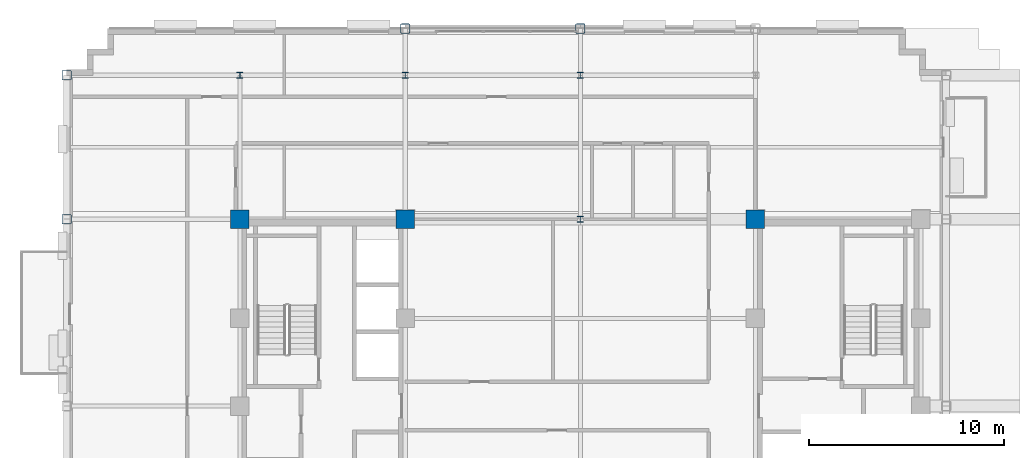
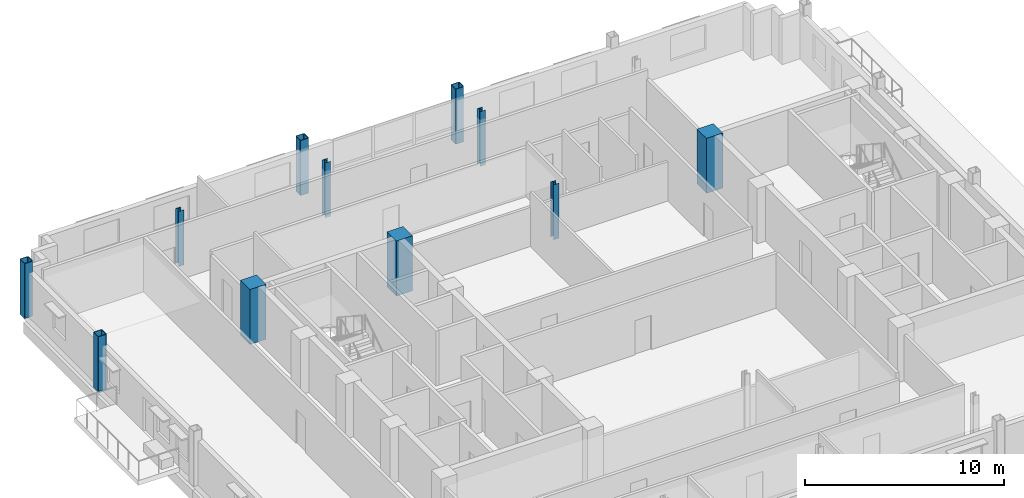
# One storey, part 3 of 16: 11 columns.
"""IFC4 building model written with IfcOpenShell, lengths in metres."""

from ifc_helpers import new_model, si_unit, direction, frame, origin, origin_2d, place, context, subcontext, project, spatial, rectangle, hollow_rectangle, i_section, extrude, material, material_profile, profile_set, type_object, element, save


model = new_model("IFC4")

# Units and contexts
model_context = context("Model", 3, precision=1e-05, world=origin(), true_north=direction((0.0, 1.0)))
body_context = subcontext(model_context, "Body", "Model", "MODEL_VIEW")
ifc_project = project(units=[si_unit("LENGTHUNIT", "METRE"), si_unit("AREAUNIT", "SQUARE_METRE"), si_unit("VOLUMEUNIT", "CUBIC_METRE"), si_unit("PLANEANGLEUNIT", "RADIAN"), si_unit("MASSUNIT", "GRAM", prefix="KILO")], contexts=[model_context])

# Site, building, storey
site_placement = place(None, origin())
site = spatial("IfcSite", under=ifc_project, at=site_placement, CompositionType="ELEMENT")
building_placement = place(site_placement, origin())
building = spatial("IfcBuilding", under=site, at=building_placement, Name="Nuvemarco Arch Tower", CompositionType="ELEMENT")
storey_placement = place(building_placement, frame((0.0, 0.0, 209.14990234375)))
storey = spatial("IfcBuildingStorey", under=building, at=storey_placement, Name="L55", CompositionType="ELEMENT", Elevation=209.14990234375)

# Columns
ifc_material_1 = material(Name="Concrete C50/60", Category="concrete")
ifc_material_profile_1 = material_profile(ifc_material_1, rectangle(XDim=0.949951171875, YDim=0.949951171875, at=origin_2d()), Name="RC-COL-950x950")
ifc_profile_set_1 = profile_set([ifc_material_profile_1], Name="Concrete C50/60")
column_type_1 = type_object("IfcColumnType", Name="COL-CORE-950", PredefinedType="COLUMN", material=ifc_profile_set_1)
for number, where, z_axis, x_axis, name in (
    (1, (-17.5, 9.60009765625, 0.0), (0.0, 0.0, 1.0), (1.0, 0.0, 0.0), "L55 column CC_-17.5_+9.6"),
    (2, (-9.0, 9.60009765625, 0.0), (0.0, 0.0, 1.0), (1.0, 0.0, 0.0), "L55 column CC_-9.0_+9.6"),
    (3, (9.0, 9.60009765625, 0.0), (0.0, 0.0, 1.0), (1.0, 0.0, 0.0), "L55 column CC_+9.0_+9.6"),
):
    element("IfcColumn", number, at=place(storey_placement, frame(where, z_axis=z_axis, x_axis=x_axis)), inside=storey, type_object=column_type_1, Name=name, PredefinedType="COLUMN", context=body_context, shape_type="SweptSolid", body=[
        extrude(rectangle(XDim=0.949951171875, YDim=0.949951171875, at=origin_2d()), origin(), (0.0, 0.0, 1.0), 3.3701171875),
    ])
ifc_material_2 = material(Name="Steel S355", Category="steel")
ifc_material_profile_2 = material_profile(ifc_material_2, hollow_rectangle(XDim=0.5, YDim=0.5, WallThickness=0.031982421875, InnerFilletRadius=0.031982421875, OuterFilletRadius=0.06396484375, at=origin_2d()), Name="SHS500x500x32")
ifc_profile_set_2 = profile_set([ifc_material_profile_2], Name="Steel S355")
column_type_2 = type_object("IfcColumnType", Name="COL-EXO-500", PredefinedType="COLUMN", material=ifc_profile_set_2)
for number, where, z_axis, x_axis, name in (
    (4, (-26.39990234375, 9.60009765625, 0.0), (0.0, 0.0, 1.0), (1.0, 0.0, 0.0), "L55 column CX_-26.4_+9.6"),
    (5, (-26.39990234375, 17.0, 0.0), (0.0, 0.0, 1.0), (1.0, 0.0, 0.0), "L55 column CX_-26.4_+17.0"),
    (6, (-9.0, 19.39990234375, 0.0), (0.0, 0.0, 1.0), (1.0, 0.0, 0.0), "L55 column CY_-9.0_+19.4"),
    (7, (0.0, 19.39990234375, 0.0), (0.0, 0.0, 1.0), (1.0, 0.0, 0.0), "L55 column CY_+0.0_+19.4"),
):
    element("IfcColumn", number, at=place(storey_placement, frame(where, z_axis=z_axis, x_axis=x_axis)), inside=storey, type_object=column_type_2, Name=name, PredefinedType="COLUMN", context=body_context, shape_type="SweptSolid", body=[
        extrude(hollow_rectangle(XDim=0.5, YDim=0.5, WallThickness=0.031982421875, InnerFilletRadius=0.031982421875, OuterFilletRadius=0.06396484375, at=origin_2d()), origin(), (0.0, 0.0, 1.0), 3.3701171875),
    ])
ifc_material_profile_3 = material_profile(ifc_material_2, i_section(OverallWidth=0.31005859375, OverallDepth=0.31005859375, WebThickness=0.015380859375, FlangeThickness=0.015380859375, FilletRadius=0.014892578125, at=origin_2d()), Name="HP310x110")
ifc_profile_set_3 = profile_set([ifc_material_profile_3], Name="Steel S355")
column_type_3 = type_object("IfcColumnType", Name="COL-STL-HP310", PredefinedType="COLUMN", material=ifc_profile_set_3)
for number, where, z_axis, x_axis, name in (
    (8, (0.0, 9.60009765625, 0.0), (0.0, 0.0, 1.0), (1.0, 0.0, 0.0), "L55 column CI_+0.0_+9.6"),
    (9, (0.0, 17.0, 0.0), (0.0, 0.0, 1.0), (1.0, 0.0, 0.0), "L55 column CI_+0.0_+17.0"),
    (10, (-17.5, 17.0, 0.0), (0.0, 0.0, 1.0), (1.0, 0.0, 0.0), "L55 column CI_-17.5_+17.0"),
    (11, (-9.0, 17.0, 0.0), (0.0, 0.0, 1.0), (1.0, 0.0, 0.0), "L55 column CI_-9.0_+17.0"),
):
    element("IfcColumn", number, at=place(storey_placement, frame(where, z_axis=z_axis, x_axis=x_axis)), inside=storey, type_object=column_type_3, Name=name, PredefinedType="COLUMN", context=body_context, shape_type="SweptSolid", body=[
        extrude(i_section(OverallWidth=0.31005859375, OverallDepth=0.31005859375, WebThickness=0.015380859375, FlangeThickness=0.015380859375, FilletRadius=0.014892578125, at=origin_2d()), origin(), (0.0, 0.0, 1.0), 3.3701171875),
    ])

save(model, "model.ifc")
